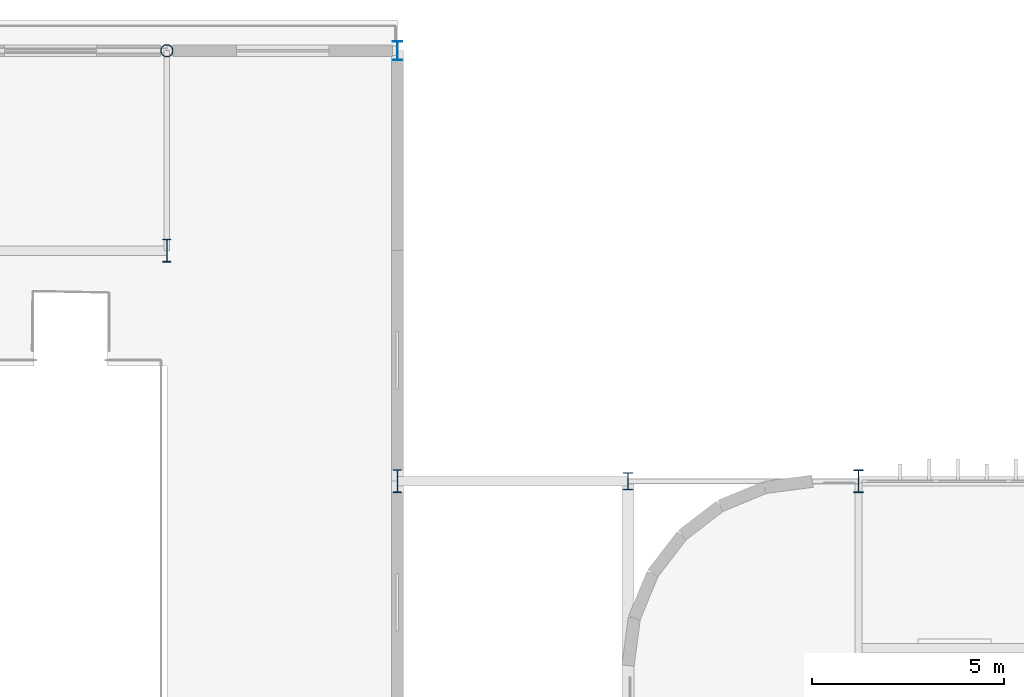
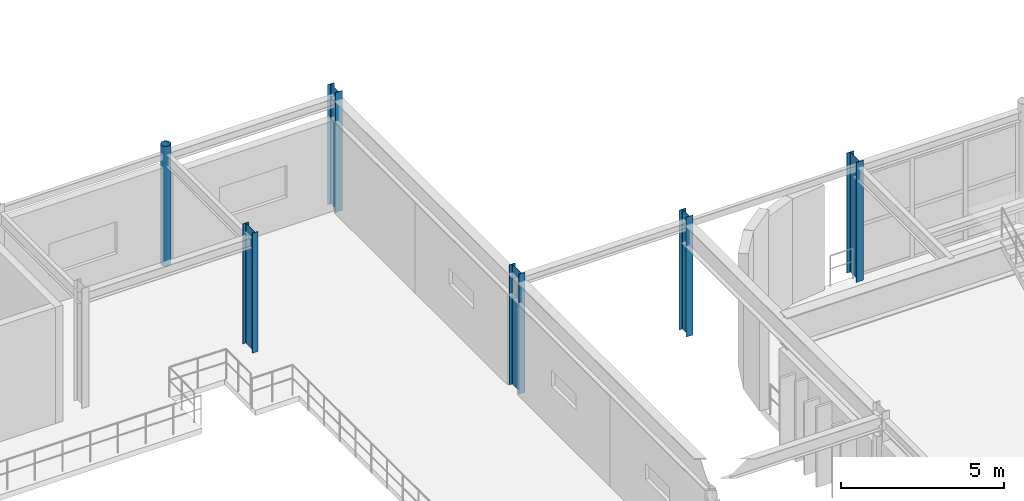
# One storey, part 12 of 84: 6 columns.
"""IFC4 building model written with IfcOpenShell, lengths in metres."""

from ifc_helpers import new_model, si_unit, direction, frame, origin, origin_2d, place, context, subcontext, project, spatial, hollow_circle, i_section, extrude, material, material_profile, profile_set, type_object, element, save


model = new_model("IFC4")

# Units and contexts
model_context = context("Model", 3, precision=1e-05, world=origin(), true_north=direction((0.0, 1.0)))
body_context = subcontext(model_context, "Body", "Model", "MODEL_VIEW")
ifc_project = project(units=[si_unit("LENGTHUNIT", "METRE"), si_unit("AREAUNIT", "SQUARE_METRE"), si_unit("VOLUMEUNIT", "CUBIC_METRE"), si_unit("PLANEANGLEUNIT", "RADIAN"), si_unit("MASSUNIT", "GRAM", prefix="KILO")], contexts=[model_context])

# Site, building, storey
site_placement = place(None, origin())
site = spatial("IfcSite", under=ifc_project, at=site_placement, CompositionType="ELEMENT")
building_placement = place(site_placement, origin())
building = spatial("IfcBuilding", under=site, at=building_placement, Name="Varnakota Square Police Headquarters", CompositionType="ELEMENT")
storey_placement = place(building_placement, frame((0.0, 0.0, 13.5)))
storey = spatial("IfcBuildingStorey", under=building, at=storey_placement, Name="L03", CompositionType="ELEMENT", Elevation=13.5)

# Columns
ifc_material = material(Name="Steel IS 2062 Grade 350", Category="steel")
ifc_material_profile_1 = material_profile(ifc_material, hollow_circle(Radius=0.161865234375, WallThickness=0.0126953125, at=origin_2d()), Name="CHS 323.9x12.7")
ifc_profile_set_1 = profile_set([ifc_material_profile_1], Name="Steel IS 2062 Grade 350")
column_type_1 = type_object("IfcColumnType", Name="COL-CHS324", PredefinedType="COLUMN", material=ifc_profile_set_1)
column_1_placement = place(storey_placement, frame((48.0, 110.199951171875, 0.0), z_axis=(0.0, 0.0, 1.0), x_axis=(1.0, 0.0, 0.0)))
element("IfcColumn", 1, at=column_1_placement, inside=storey, type_object=column_type_1, Name="Column X0480-Y1102 L03", PredefinedType="COLUMN", context=body_context, shape_type="SweptSolid", body=[
    extrude(hollow_circle(Radius=0.161865234375, WallThickness=0.0126953125, at=origin_2d()), origin(), (0.0, 0.0, 1.0), 4.5),
])
ifc_material_profile_2 = material_profile(ifc_material, i_section(OverallWidth=0.25, OverallDepth=0.449951171875, WebThickness=0.01123046875, FlangeThickness=0.013671875, FilletRadius=0.014892578125, at=origin_2d()), Name="ISHB 450")
ifc_profile_set_2 = profile_set([ifc_material_profile_2], Name="Steel IS 2062 Grade 350")
column_type_2 = type_object("IfcColumnType", Name="COL-ISHB450", PredefinedType="COLUMN", material=ifc_profile_set_2)
column_2_placement = place(storey_placement, frame((60.0, 99.0, 0.0), z_axis=(0.0, 0.0, 1.0), x_axis=(1.0, 0.0, 0.0)))
element("IfcColumn", 2, at=column_2_placement, inside=storey, type_object=column_type_2, Name="Column X0600-Y0990 L03", PredefinedType="COLUMN", context=body_context, shape_type="SweptSolid", body=[
    extrude(i_section(OverallWidth=0.25, OverallDepth=0.449951171875, WebThickness=0.01123046875, FlangeThickness=0.013671875, FilletRadius=0.014892578125, at=origin_2d()), origin(), (0.0, 0.0, 1.0), 4.5),
])
ifc_material_profile_3 = material_profile(ifc_material, i_section(OverallWidth=0.2099609375, OverallDepth=0.60009765625, WebThickness=0.011962890625, FlangeThickness=0.020751953125, FilletRadius=0.02001953125, at=origin_2d()), Name="ISMB 600")
ifc_profile_set_3 = profile_set([ifc_material_profile_3], Name="Steel IS 2062 Grade 350")
column_type_3 = type_object("IfcColumnType", Name="COL-ISMB600", PredefinedType="COLUMN", material=ifc_profile_set_3)
for number, where, z_axis, x_axis, name in (
    (3, (48.0, 105.0, 0.0), (0.0, 0.0, 1.0), (1.0, 0.0, 0.0), "Column X0480-Y1050 L03"),
    (4, (54.0, 99.0, 0.0), (0.0, 0.0, 1.0), (1.0, 0.0, 0.0), "Column X0540-Y0990 L03"),
):
    element("IfcColumn", number, at=place(storey_placement, frame(where, z_axis=z_axis, x_axis=x_axis)), inside=storey, type_object=column_type_3, Name=name, PredefinedType="COLUMN", context=body_context, shape_type="SweptSolid", body=[
        extrude(i_section(OverallWidth=0.2099609375, OverallDepth=0.60009765625, WebThickness=0.011962890625, FlangeThickness=0.020751953125, FilletRadius=0.02001953125, at=origin_2d()), origin(), (0.0, 0.0, 1.0), 4.5),
    ])
ifc_material_profile_4 = material_profile(ifc_material, i_section(OverallWidth=0.25, OverallDepth=0.5, WebThickness=0.010009765625, FlangeThickness=0.0146484375, FilletRadius=0.014892578125, at=origin_2d()), Name="ISWB 500")
ifc_profile_set_4 = profile_set([ifc_material_profile_4], Name="Steel IS 2062 Grade 350")
column_type_4 = type_object("IfcColumnType", Name="COL-ISWB500", PredefinedType="COLUMN", material=ifc_profile_set_4)
column_3_placement = place(storey_placement, frame((54.0, 110.199951171875, 0.0), z_axis=(0.0, 0.0, 1.0), x_axis=(1.0, 0.0, 0.0)))
element("IfcColumn", 5, at=column_3_placement, inside=storey, type_object=column_type_4, Name="Column X0540-Y1102 L03", PredefinedType="COLUMN", context=body_context, shape_type="SweptSolid", body=[
    extrude(i_section(OverallWidth=0.25, OverallDepth=0.5, WebThickness=0.010009765625, FlangeThickness=0.0146484375, FilletRadius=0.014892578125, at=origin_2d()), origin(), (0.0, 0.0, 1.0), 4.5),
])
ifc_material_profile_5 = material_profile(ifc_material, i_section(OverallWidth=0.25, OverallDepth=0.60009765625, WebThickness=0.01171875, FlangeThickness=0.023681640625, FilletRadius=0.01708984375, at=origin_2d()), Name="ISWB 600")
ifc_profile_set_5 = profile_set([ifc_material_profile_5], Name="Steel IS 2062 Grade 350")
column_type_5 = type_object("IfcColumnType", Name="COL-ISWB600", PredefinedType="COLUMN", material=ifc_profile_set_5)
column_4_placement = place(storey_placement, frame((66.0, 99.0, 0.0), z_axis=(0.0, 0.0, 1.0), x_axis=(1.0, 0.0, 0.0)))
element("IfcColumn", 6, at=column_4_placement, inside=storey, type_object=column_type_5, Name="Column X0660-Y0990 L03", PredefinedType="COLUMN", context=body_context, shape_type="SweptSolid", body=[
    extrude(i_section(OverallWidth=0.25, OverallDepth=0.60009765625, WebThickness=0.01171875, FlangeThickness=0.023681640625, FilletRadius=0.01708984375, at=origin_2d()), origin(), (0.0, 0.0, 1.0), 4.5),
])

save(model, "model.ifc")
